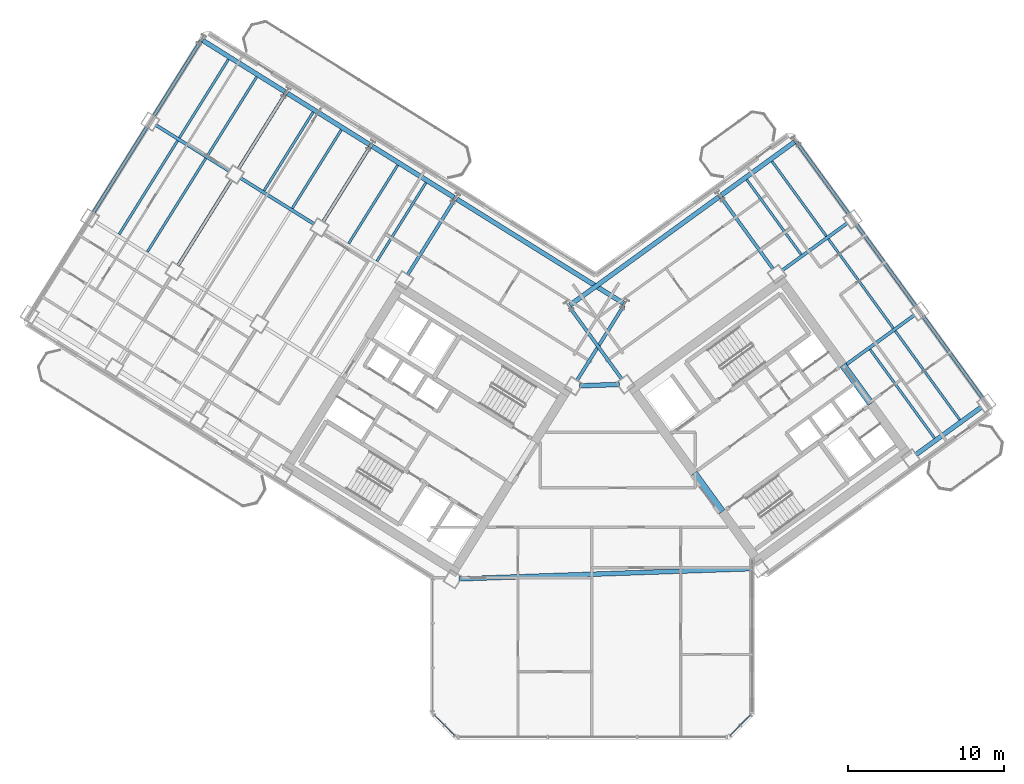
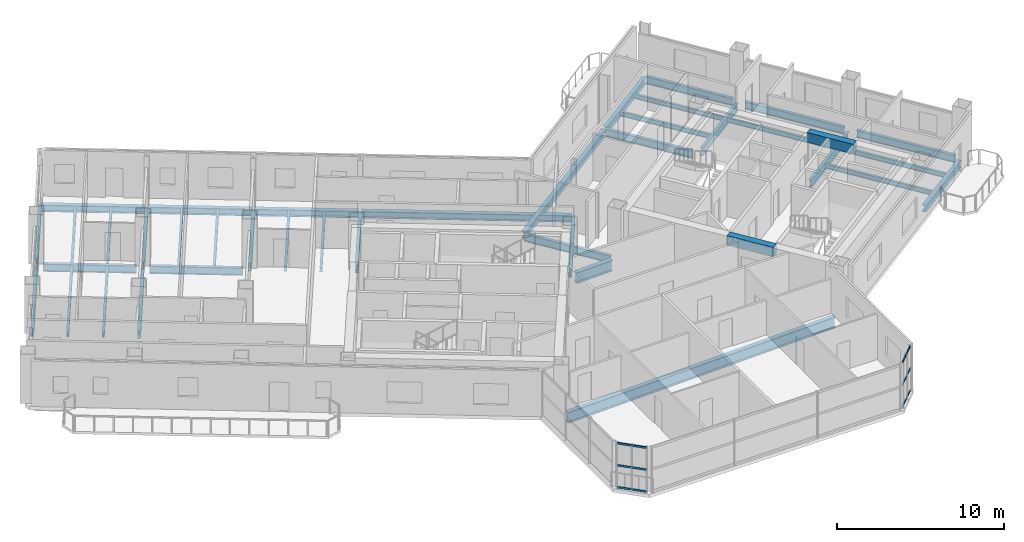
# One storey, part 7 of 21: 40 beams, 12 members, 2 elements without a shape of their own.
"""IFC4 building model written with IfcOpenShell, lengths in metres."""

from ifc_helpers import new_model, si_unit, direction, frame, origin, origin_2d, place, context, subcontext, project, spatial, rectangle, hollow_rectangle, i_section, extrude, source, transform, mapped, material, material_profile, profile_set, type_object, element, aggregate, save


model = new_model("IFC4")

# Units and contexts
model_context = context("Model", 3, precision=1e-05, world=origin(), true_north=direction((0.0, 1.0)))
body_context = subcontext(model_context, "Body", "Model", "MODEL_VIEW")
ifc_project = project(units=[si_unit("LENGTHUNIT", "METRE"), si_unit("AREAUNIT", "SQUARE_METRE"), si_unit("VOLUMEUNIT", "CUBIC_METRE"), si_unit("PLANEANGLEUNIT", "RADIAN"), si_unit("MASSUNIT", "GRAM", prefix="KILO")], contexts=[model_context])

# Site, building, storey
site_placement = place(None, origin())
site = spatial("IfcSite", under=ifc_project, at=site_placement, CompositionType="ELEMENT")
building_placement = place(site_placement, origin())
building = spatial("IfcBuilding", under=site, at=building_placement, Name="Tlacorven Tower", CompositionType="ELEMENT")
storey_placement = place(building_placement, frame((0.0, 0.0, 105.300048828125)))
storey = spatial("IfcBuildingStorey", under=building, at=storey_placement, Name="L26", CompositionType="ELEMENT", Elevation=105.300048828125)

# Beams
ifc_material_1 = material(Name="Concrete C60/75", Category="concrete")
ifc_material_profile_1 = material_profile(ifc_material_1, rectangle(XDim=0.449951171875, YDim=0.699951171875, at=origin_2d()), Name="RC 450X700")
ifc_profile_set_1 = profile_set([ifc_material_profile_1], Name="Concrete C60/75")
beam_type_1 = type_object("IfcBeamType", Name="BM-LNT-700", PredefinedType="LINTEL", material=ifc_profile_set_1)
shared_shape_1 = source(origin(), body_context, "Body", "SweptSolid", [
    extrude(rectangle(XDim=0.449951171875, YDim=0.699951171875, at=origin_2d()), origin(), (0.0, 0.0, 1.0), 3.050048828125),
])
for number, where, z_axis, x_axis, name in (
    (1, (50.318359375, 16.416015625, 3.0), (-0.587776590479, 0.80902328748, 0.0), (-0.80902328748, -0.587776590479, 0.0), "L26 E core coupling lintel beam E1"),
    (2, (59.856689453125, 23.345947265625, 3.0), (-0.587776590479, 0.80902328748, 0.0), (-0.80902328748, -0.587776590479, 0.0), "L26 E core coupling lintel beam E2"),
):
    element("IfcBeam", number, at=place(storey_placement, frame(where, z_axis=z_axis, x_axis=x_axis)), inside=storey, type_object=beam_type_1, Name=name, PredefinedType="LINTEL", context=body_context, shape_type="MappedRepresentation", body=[
        mapped(shared_shape_1, transform((0.0, 0.0, 0.0), scale=1.0)),
    ])
ifc_material_2 = material(Name="Steel S355J2", Category="steel")
ifc_material_profile_2 = material_profile(ifc_material_2, i_section(OverallWidth=0.300048828125, OverallDepth=0.489990234375, WebThickness=0.011962890625, FlangeThickness=0.02294921875, at=origin_2d()), Name="HEA 500")
ifc_profile_set_2 = profile_set([ifc_material_profile_2], Name="Steel S355J2")
beam_type_2 = type_object("IfcBeamType", Name="BM-SPN-500", PredefinedType="SPANDREL", material=ifc_profile_set_2)
shared_shape_2 = source(origin(), body_context, "Body", "SweptSolid", [
    extrude(i_section(OverallWidth=0.300048828125, OverallDepth=0.489990234375, WebThickness=0.011962890625, FlangeThickness=0.02294921875, at=origin_2d()), origin(), (0.0, 0.0, 1.0), 12.599853515625),
])
beam_1_placement = place(storey_placement, frame((43.983642578125, 29.779296875, -0.4951171875), z_axis=(-0.848045108756, 0.529924045043, 0.0), x_axis=(-0.529924045043, -0.848045108756, 0.0)))
element("IfcBeam", 3, at=beam_1_placement, inside=storey, type_object=beam_type_2, Name="L26 beam BM-L26-WL1-1", PredefinedType="SPANDREL", context=body_context, shape_type="MappedRepresentation", body=[
    mapped(shared_shape_2, transform((0.0, 0.0, 0.0), scale=1.0)),
])
shared_shape_3 = source(origin(), body_context, "Body", "SweptSolid", [
    extrude(i_section(OverallWidth=0.300048828125, OverallDepth=0.489990234375, WebThickness=0.011962890625, FlangeThickness=0.02294921875, at=origin_2d()), origin(), (0.0, 0.0, 1.0), 6.199951171875),
])
beam_2_placement = place(storey_placement, frame((33.128662109375, 36.562255859375, -0.4951171875), z_axis=(-0.848051394107, 0.529913986372, 0.0), x_axis=(-0.529913986372, -0.848051394107, 0.0)))
element("IfcBeam", 4, at=beam_2_placement, inside=storey, type_object=beam_type_2, Name="L26 beam BM-L26-WL1-3", PredefinedType="SPANDREL", context=body_context, shape_type="MappedRepresentation", body=[
    mapped(shared_shape_3, transform((0.0, 0.0, 0.0), scale=1.0)),
])
shared_shape_4 = source(origin(), body_context, "Body", "SweptSolid", [
    extrude(i_section(OverallWidth=0.300048828125, OverallDepth=0.489990234375, WebThickness=0.011962890625, FlangeThickness=0.02294921875, at=origin_2d()), origin(), (0.0, 0.0, 1.0), 11.800048828125),
])
beam_3_placement = place(storey_placement, frame((40.560302734375, 29.65966796875, -0.4951171875), z_axis=(0.80900977213, 0.587795192732, 0.0), x_axis=(-0.587795192732, 0.80900977213, 0.0)))
element("IfcBeam", 5, at=beam_3_placement, inside=storey, type_object=beam_type_2, Name="L26 beam BM-L26-EL4-1", PredefinedType="SPANDREL", context=body_context, shape_type="MappedRepresentation", body=[
    mapped(shared_shape_4, transform((0.0, 0.0, 0.0), scale=1.0)),
])
shared_shape_5 = source(origin(), body_context, "Body", "SweptSolid", [
    extrude(i_section(OverallWidth=0.300048828125, OverallDepth=0.489990234375, WebThickness=0.011962890625, FlangeThickness=0.02294921875, at=origin_2d()), origin(), (0.0, 0.0, 1.0), 5.800048828125),
])
beam_4_placement = place(storey_placement, frame((50.2685546875, 36.713134765625, -0.4951171875), z_axis=(0.809019944521, 0.587781191743, 0.0), x_axis=(-0.587781191743, 0.809019944521, 0.0)))
element("IfcBeam", 6, at=beam_4_placement, inside=storey, type_object=beam_type_2, Name="L26 beam BM-L26-EL4-3", PredefinedType="SPANDREL", context=body_context, shape_type="MappedRepresentation", body=[
    mapped(shared_shape_5, transform((0.0, 0.0, 0.0), scale=1.0)),
])
shared_shape_6 = source(origin(), body_context, "Body", "SweptSolid", [
    extrude(i_section(OverallWidth=0.300048828125, OverallDepth=0.489990234375, WebThickness=0.011962890625, FlangeThickness=0.02294921875, at=origin_2d()), origin(), (0.0, 0.0, 1.0), 6.2001953125),
])
for number, where, z_axis, x_axis, name in (
    (7, (27.701171875, 39.95361328125, -0.4951171875), (-0.84804475579, 0.5299246099, 0.0), (-0.5299246099, -0.84804475579, 0.0), "L26 beam BM-L26-WL1-4"),
    (8, (22.273681640625, 43.34521484375, -0.4951171875), (-0.848062451332, 0.529896290457, 0.0), (-0.529896290457, -0.848062451332, 0.0), "L26 beam BM-L26-WL1-5"),
):
    element("IfcBeam", number, at=place(storey_placement, frame(where, z_axis=z_axis, x_axis=x_axis)), inside=storey, type_object=beam_type_2, Name=name, PredefinedType="SPANDREL", context=body_context, shape_type="MappedRepresentation", body=[
        mapped(shared_shape_6, transform((0.0, 0.0, 0.0), scale=1.0)),
    ])
ifc_material_profile_3 = material_profile(ifc_material_2, i_section(OverallWidth=0.2099609375, OverallDepth=0.550048828125, WebThickness=0.010986328125, FlangeThickness=0.01708984375, at=origin_2d()), Name="IPE 550")
ifc_profile_set_3 = profile_set([ifc_material_profile_3], Name="Steel S355J2")
beam_type_3 = type_object("IfcBeamType", Name="BM-TWR-550", PredefinedType="BEAM", material=ifc_profile_set_3)
shared_shape_7 = source(origin(), body_context, "Body", "SweptSolid", [
    extrude(i_section(OverallWidth=0.2099609375, OverallDepth=0.550048828125, WebThickness=0.010986328125, FlangeThickness=0.01708984375, at=origin_2d()), origin(), (0.0, 0.0, 1.0), 5.599853515625),
])
for number, where, z_axis, x_axis, name in (
    (9, (24.1611328125, 34.854736328125, -0.525146484375), (-0.848047285686, 0.529920561254, 0.0), (-0.529920561254, -0.848047285686, 0.0), "L26 beam BM-L26-WL2-4"),
    (10, (18.733642578125, 38.246337890625, -0.525146484375), (-0.848047285686, 0.529920561254, 0.0), (-0.529920561254, -0.848047285686, 0.0), "L26 beam BM-L26-WL2-5"),
):
    element("IfcBeam", number, at=place(storey_placement, frame(where, z_axis=z_axis, x_axis=x_axis)), inside=storey, type_object=beam_type_3, Name=name, PredefinedType="BEAM", context=body_context, shape_type="MappedRepresentation", body=[
        mapped(shared_shape_7, transform((0.0, 0.0, 0.0), scale=1.0)),
    ])
shared_shape_8 = source(origin(), body_context, "Body", "SweptSolid", [
    extrude(i_section(OverallWidth=0.2099609375, OverallDepth=0.550048828125, WebThickness=0.010986328125, FlangeThickness=0.01708984375, at=origin_2d()), origin(), (0.0, 0.0, 1.0), 5.7001953125),
])
for number, where, z_axis, x_axis, name in (
    (11, (44.015380859375, 29.6416015625, -0.525146484375), (-0.529906537151, -0.848056048787, 0.0), (0.848056048787, -0.529906537151, 0.0), "L26 beam BM-L26-WT1-1"),
    (12, (33.160400390625, 36.424560546875, -0.525146484375), (-0.529906537151, -0.848056048787, 0.0), (0.848056048787, -0.529906537151, 0.0), "L26 beam BM-L26-WT3-1"),
    (13, (22.305419921875, 43.20751953125, -0.525146484375), (-0.529906537151, -0.848056048787, 0.0), (0.848056048787, -0.529906537151, 0.0), "L26 beam BM-L26-WT5-1"),
):
    element("IfcBeam", number, at=place(storey_placement, frame(where, z_axis=z_axis, x_axis=x_axis)), inside=storey, type_object=beam_type_3, Name=name, PredefinedType="BEAM", context=body_context, shape_type="MappedRepresentation", body=[
        mapped(shared_shape_8, transform((0.0, 0.0, 0.0), scale=1.0)),
    ])
shared_shape_9 = source(origin(), body_context, "Body", "SweptSolid", [
    extrude(i_section(OverallWidth=0.2099609375, OverallDepth=0.550048828125, WebThickness=0.010986328125, FlangeThickness=0.01708984375, at=origin_2d()), origin(), (0.0, 0.0, 1.0), 5.699951171875),
])
for number, where, z_axis, x_axis, name in (
    (14, (27.73291015625, 39.81591796875, -0.525146484375), (-0.529925785607, -0.848044021115, 0.0), (0.848044021115, -0.529925785607, 0.0), "L26 beam BM-L26-WT4-1"),
    (15, (16.8779296875, 46.598876953125, -0.525146484375), (-0.529925785607, -0.848044021115, 0.0), (0.848044021115, -0.529925785607, 0.0), "L26 beam BM-L26-WT6-1"),
    (16, (43.888671875, 24.90869140625, -0.525146484375), (-0.587787066966, 0.809015675935, 0.0), (-0.809015675935, -0.587787066966, 0.0), "L26 beam BM-L26-ET1-2"),
    (17, (53.596923828125, 31.962158203125, -0.525146484375), (-0.587787066966, 0.809015675935, 0.0), (-0.809015675935, -0.587787066966, 0.0), "L26 beam BM-L26-ET3-2"),
    (18, (58.450927734375, 35.48876953125, -0.525146484375), (-0.587787066966, 0.809015675935, 0.0), (-0.809015675935, -0.587787066966, 0.0), "L26 beam BM-L26-ET4-3"),
):
    element("IfcBeam", number, at=place(storey_placement, frame(where, z_axis=z_axis, x_axis=x_axis)), inside=storey, type_object=beam_type_3, Name=name, PredefinedType="BEAM", context=body_context, shape_type="MappedRepresentation", body=[
        mapped(shared_shape_9, transform((0.0, 0.0, 0.0), scale=1.0)),
    ])
shared_shape_10 = source(origin(), body_context, "Body", "SweptSolid", [
    extrude(i_section(OverallWidth=0.2099609375, OverallDepth=0.550048828125, WebThickness=0.010986328125, FlangeThickness=0.01708984375, at=origin_2d()), origin(), (0.0, 0.0, 1.0), 6.5),
])
for number, where, z_axis, x_axis, name in (
    (19, (13.433349609375, 41.086669921875, -0.525146484375), (-0.529894274829, -0.848063710757, 0.0), (0.848063710757, -0.529894274829, 0.0), "L26 beam BM-L26-WT6-2"),
    (20, (67.03271484375, 23.67724609375, -0.525146484375), (-0.587809847215, 0.808999124547, 0.0), (-0.808999124547, -0.587809847215, 0.0), "L26 beam BM-L26-ET4-1"),
    (21, (62.74169921875, 29.5830078125, -0.525146484375), (-0.587785264321, 0.809016985636, 0.0), (-0.809016985636, -0.587785264321, 0.0), "L26 beam BM-L26-ET4-2"),
):
    element("IfcBeam", number, at=place(storey_placement, frame(where, z_axis=z_axis, x_axis=x_axis)), inside=storey, type_object=beam_type_3, Name=name, PredefinedType="BEAM", context=body_context, shape_type="MappedRepresentation", body=[
        mapped(shared_shape_10, transform((0.0, 0.0, 0.0), scale=1.0)),
    ])
shared_shape_11 = source(origin(), body_context, "Body", "SweptSolid", [
    extrude(i_section(OverallWidth=0.2099609375, OverallDepth=0.550048828125, WebThickness=0.010986328125, FlangeThickness=0.01708984375, at=origin_2d()), origin(), (0.0, 0.0, 1.0), 6.499755859375),
])
beam_5_placement = place(storey_placement, frame((18.86083984375, 37.695068359375, -0.525146484375), z_axis=(-0.529911154058, -0.848053163902, 0.0), x_axis=(0.848053163902, -0.529911154058, 0.0)))
element("IfcBeam", 22, at=beam_5_placement, inside=storey, type_object=beam_type_3, Name="L26 beam BM-L26-WT5-2", PredefinedType="BEAM", context=body_context, shape_type="MappedRepresentation", body=[
    mapped(shared_shape_11, transform((0.0, 0.0, 0.0), scale=1.0)),
])
shared_shape_12 = source(origin(), body_context, "Body", "SweptSolid", [
    extrude(i_section(OverallWidth=0.300048828125, OverallDepth=0.489990234375, WebThickness=0.011962890625, FlangeThickness=0.02294921875, at=origin_2d()), origin(), (0.0, 0.0, 1.0), 5.199951171875),
])
beam_6_placement = place(storey_placement, frame((62.7373046875, 20.06201171875, -0.4951171875), z_axis=(0.809018206713, 0.587783583648, 0.0), x_axis=(-0.587783583648, 0.809018206713, 0.0)))
element("IfcBeam", 23, at=beam_6_placement, inside=storey, type_object=beam_type_2, Name="L26 beam BM-L26-EL1-3", PredefinedType="SPANDREL", context=body_context, shape_type="MappedRepresentation", body=[
    mapped(shared_shape_12, transform((0.0, 0.0, 0.0), scale=1.0)),
])
shared_shape_13 = source(origin(), body_context, "Body", "SweptSolid", [
    extrude(i_section(OverallWidth=0.2099609375, OverallDepth=0.550048828125, WebThickness=0.010986328125, FlangeThickness=0.01708984375, at=origin_2d()), origin(), (0.0, 0.0, 1.0), 5.56005859375),
])
beam_7_placement = place(storey_placement, frame((58.155029296875, 25.756103515625, -0.525146484375), z_axis=(0.809028396397, 0.587769558435, 0.0), x_axis=(-0.587769558435, 0.809028396397, 0.0)))
element("IfcBeam", 24, at=beam_7_placement, inside=storey, type_object=beam_type_3, Name="L26 beam BM-L26-EL2-3", PredefinedType="BEAM", context=body_context, shape_type="MappedRepresentation", body=[
    mapped(shared_shape_13, transform((0.0, 0.0, 0.0), scale=1.0)),
])
shared_shape_14 = source(origin(), body_context, "Body", "SweptSolid", [
    extrude(i_section(OverallWidth=0.2099609375, OverallDepth=0.550048828125, WebThickness=0.010986328125, FlangeThickness=0.01708984375, at=origin_2d()), origin(), (0.0, 0.0, 1.0), 5.2001953125),
])
beam_8_placement = place(storey_placement, frame((54.155517578125, 31.87353515625, -0.525146484375), z_axis=(0.80901210161, 0.587791986546, 0.0), x_axis=(-0.587791986546, 0.80901210161, 0.0)))
element("IfcBeam", 25, at=beam_8_placement, inside=storey, type_object=beam_type_3, Name="L26 beam BM-L26-EL3-3", PredefinedType="BEAM", context=body_context, shape_type="MappedRepresentation", body=[
    mapped(shared_shape_14, transform((0.0, 0.0, 0.0), scale=1.0)),
])
ifc_material_profile_4 = material_profile(ifc_material_2, i_section(OverallWidth=0.300048828125, OverallDepth=0.800048828125, WebThickness=0.017578125, FlangeThickness=0.032958984375, at=origin_2d()), Name="HEB 800")
ifc_profile_set_4 = profile_set([ifc_material_profile_4], Name="Steel S355J2")
beam_type_4 = type_object("IfcBeamType", Name="BM-POD-800", PredefinedType="BEAM", material=ifc_profile_set_4)
shared_shape_15 = source(origin(), body_context, "Body", "SweptSolid", [
    extrude(i_section(OverallWidth=0.300048828125, OverallDepth=0.800048828125, WebThickness=0.017578125, FlangeThickness=0.032958984375, at=origin_2d()), origin(), (0.0, 0.0, 1.0), 2.542724609375),
])
beam_9_placement = place(storey_placement, frame((41.1826171875, 24.482421875, -0.650146484375), z_axis=(0.999392467766, 0.034852480142, 0.0), x_axis=(-0.034852480142, 0.999392467766, 0.0)))
element("IfcBeam", 26, at=beam_9_placement, inside=storey, type_object=beam_type_4, Name="L26 Knuckle Link Girder 1", PredefinedType="BEAM", context=body_context, shape_type="MappedRepresentation", body=[
    mapped(shared_shape_15, transform((0.0, 0.0, 0.0), scale=1.0)),
])
shared_shape_16 = source(origin(), body_context, "Body", "SweptSolid", [
    extrude(i_section(OverallWidth=0.300048828125, OverallDepth=0.800048828125, WebThickness=0.017578125, FlangeThickness=0.032958984375, at=origin_2d()), origin(), (0.0, 0.0, 1.0), 18.871337890625),
])
beam_10_placement = place(storey_placement, frame((33.44580078125, 12.100830078125, -0.650146484375), z_axis=(0.999390659804, 0.034904284792, 0.0), x_axis=(-0.034904284792, 0.999390659804, 0.0)))
element("IfcBeam", 27, at=beam_10_placement, inside=storey, type_object=beam_type_4, Name="L26 Knuckle Link Girder 2", PredefinedType="BEAM", context=body_context, shape_type="MappedRepresentation", body=[
    mapped(shared_shape_16, transform((0.0, 0.0, 0.0), scale=1.0)),
])
ifc_material_profile_5 = material_profile(ifc_material_2, i_section(OverallWidth=0.159912109375, OverallDepth=0.330078125, WebThickness=0.007568359375, FlangeThickness=0.011474609375, at=origin_2d()), Name="IPE 330")
ifc_profile_set_5 = profile_set([ifc_material_profile_5], Name="Steel S355J2")
beam_type_5 = type_object("IfcBeamType", Name="BM-JST-330", PredefinedType="JOIST", material=ifc_profile_set_5)
shared_shape_17 = source(origin(), body_context, "Body", "SweptSolid", [
    extrude(i_section(OverallWidth=0.159912109375, OverallDepth=0.330078125, WebThickness=0.007568359375, FlangeThickness=0.011474609375, at=origin_2d()), origin(), (0.0, 0.0, 1.0), 5.93505859375),
])
for number, where, z_axis, x_axis, name in (
    (28, (31.322265625, 37.50830078125, -0.4150390625), (-0.529939778535, -0.848035277053, 0.0), (0.848035277053, -0.529939778535, 0.0), "L26 beam BM-L26-WJ3-1-1"),
    (29, (29.512939453125, 38.638916015625, -0.4150390625), (-0.529910194899, -0.848053763238, 0.0), (0.848053763238, -0.529910194899, 0.0), "L26 beam BM-L26-WJ3-1-2"),
    (30, (24.08544921875, 42.0302734375, -0.4150390625), (-0.529910194899, -0.848053763238, 0.0), (0.848053763238, -0.529910194899, 0.0), "L26 beam BM-L26-WJ4-1-2"),
    (31, (20.467041015625, 44.291259765625, -0.4150390625), (-0.529910194899, -0.848053763238, 0.0), (0.848053763238, -0.529910194899, 0.0), "L26 beam BM-L26-WJ5-1-1"),
    (32, (18.657958984375, 45.421875, -0.4150390625), (-0.529910194899, -0.848053763238, 0.0), (0.848053763238, -0.529910194899, 0.0), "L26 beam BM-L26-WJ5-1-2"),
    (33, (55.38525390625, 32.903076171875, -0.4150390625), (-0.58778762431, 0.809015270998, 0.0), (-0.809015270998, -0.58778762431, 0.0), "L26 beam BM-L26-EJ3-3-1"),
    (34, (57.00341796875, 34.07861328125, -0.4150390625), (-0.58778762431, 0.809015270998, 0.0), (-0.809015270998, -0.58778762431, 0.0), "L26 beam BM-L26-EJ3-3-2"),
):
    element("IfcBeam", number, at=place(storey_placement, frame(where, z_axis=z_axis, x_axis=x_axis)), inside=storey, type_object=beam_type_5, Name=name, PredefinedType="JOIST", context=body_context, shape_type="MappedRepresentation", body=[
        mapped(shared_shape_17, transform((0.0, 0.0, 0.0), scale=1.0)),
    ])
shared_shape_18 = source(origin(), body_context, "Body", "SweptSolid", [
    extrude(i_section(OverallWidth=0.159912109375, OverallDepth=0.330078125, WebThickness=0.007568359375, FlangeThickness=0.011474609375, at=origin_2d()), origin(), (0.0, 0.0, 1.0), 7.080078125),
])
for number, where, z_axis, x_axis, name in (
    (35, (17.20556640625, 39.071533203125, -0.4150390625), (-0.529933847046, -0.848038983629, 0.0), (0.848038983629, -0.529933847046, 0.0), "L26 beam BM-L26-WJ5-2-1"),
    (36, (15.396240234375, 40.2021484375, -0.4150390625), (-0.529893550998, -0.848064163027, 0.0), (0.848064163027, -0.529893550998, 0.0), "L26 beam BM-L26-WJ5-2-2"),
    (37, (61.294189453125, 28.1728515625, -0.4150390625), (-0.587798472288, 0.809007389321, 0.0), (-0.809007389321, -0.587798472288, 0.0), "L26 beam BM-L26-EJ3-2-2"),
):
    element("IfcBeam", number, at=place(storey_placement, frame(where, z_axis=z_axis, x_axis=x_axis)), inside=storey, type_object=beam_type_5, Name=name, PredefinedType="JOIST", context=body_context, shape_type="MappedRepresentation", body=[
        mapped(shared_shape_18, transform((0.0, 0.0, 0.0), scale=1.0)),
    ])
shared_shape_19 = source(origin(), body_context, "Body", "SweptSolid", [
    extrude(i_section(OverallWidth=0.159912109375, OverallDepth=0.330078125, WebThickness=0.007568359375, FlangeThickness=0.011474609375, at=origin_2d()), origin(), (0.0, 0.0, 1.0), 7.03515625),
])
beam_11_placement = place(storey_placement, frame((63.9404296875, 21.127685546875, -0.4150390625), z_axis=(-0.58776512903, 0.809031614399, 0.0), x_axis=(-0.809031614399, -0.58776512903, 0.0)))
element("IfcBeam", 38, at=beam_11_placement, inside=storey, type_object=beam_type_5, Name="L26 beam BM-L26-EJ3-1-1", PredefinedType="JOIST", context=body_context, shape_type="MappedRepresentation", body=[
    mapped(shared_shape_19, transform((0.0, 0.0, 0.0), scale=1.0)),
])
shared_shape_20 = source(origin(), body_context, "Body", "SweptSolid", [
    extrude(i_section(OverallWidth=0.159912109375, OverallDepth=0.330078125, WebThickness=0.007568359375, FlangeThickness=0.011474609375, at=origin_2d()), origin(), (0.0, 0.0, 1.0), 5.934814453125),
])
beam_12_placement = place(storey_placement, frame((25.894775390625, 40.899658203125, -0.4150390625), z_axis=(-0.529958265352, -0.848023724306, 0.0), x_axis=(0.848023724306, -0.529958265352, 0.0)))
element("IfcBeam", 39, at=beam_12_placement, inside=storey, type_object=beam_type_5, Name="L26 beam BM-L26-WJ4-1-1", PredefinedType="JOIST", context=body_context, shape_type="MappedRepresentation", body=[
    mapped(shared_shape_20, transform((0.0, 0.0, 0.0), scale=1.0)),
])
shared_shape_21 = source(origin(), body_context, "Body", "SweptSolid", [
    extrude(i_section(OverallWidth=0.159912109375, OverallDepth=0.330078125, WebThickness=0.007568359375, FlangeThickness=0.011474609375, at=origin_2d()), origin(), (0.0, 0.0, 1.0), 7.034912109375),
])
beam_13_placement = place(storey_placement, frame((65.55859375, 22.303466796875, -0.4150390625), z_axis=(-0.587781631373, 0.809019625115, 0.0), x_axis=(-0.809019625115, -0.587781631373, 0.0)))
element("IfcBeam", 40, at=beam_13_placement, inside=storey, type_object=beam_type_5, Name="L26 beam BM-L26-EJ3-1-2", PredefinedType="JOIST", context=body_context, shape_type="MappedRepresentation", body=[
    mapped(shared_shape_21, transform((0.0, 0.0, 0.0), scale=1.0)),
])

# Curtain wall, members
ifc_material_3 = material(Name="Dark solar low-E double glazing in aluminium frame", Category="aluminium")
curtain_wall_type = type_object("IfcCurtainWallType", Name="CW-TWR-MID", PredefinedType="USERDEFINED", material=ifc_material_3)
curtain_wall_1_placement = place(storey_placement, origin())
curtain_wall_1 = element("IfcCurtainWall", 41, at=curtain_wall_1_placement, inside=storey, type_object=curtain_wall_type, Name="L26 CW-TWR-MID Curtain Wall 131", ObjectType="UNITISED CURTAIN WALL", PredefinedType="USERDEFINED")
ifc_material_4 = material(Name="Aluminium 6063-T6 anodised", Category="aluminium")
ifc_material_profile_6 = material_profile(ifc_material_4, hollow_rectangle(XDim=0.06005859375, YDim=0.139892578125, WallThickness=0.00390625, at=origin_2d()), Name="ALU TRANSOM 60X140")
ifc_profile_set_6 = profile_set([ifc_material_profile_6], Name="Aluminium 6063-T6 anodised")
member_type = type_object("IfcMemberType", Name="CWT-02", PredefinedType="USERDEFINED", material=ifc_profile_set_6)
shared_shape_22 = source(origin(), body_context, "Body", "SweptSolid", [
    extrude(hollow_rectangle(XDim=0.06005859375, YDim=0.139892578125, WallThickness=0.00390625, at=origin_2d()), origin(), (0.0, 0.0, 1.0), 0.8916015625),
])
member_1_placement = place(storey_placement, frame((52.1318359375, 3.358154296875, 0.070068359375), z_axis=(-0.706969864397, -0.70724367147, 0.0), x_axis=(0.70724367147, -0.706969864397, 0.0)))
member_1 = element("IfcMember", 42, at=member_1_placement, type_object=member_type, Name="CW-L26-131 Transom 1", ObjectType="TRANSOM", PredefinedType="USERDEFINED", context=body_context, shape_type="MappedRepresentation", body=[
    mapped(shared_shape_22, transform((0.0, 0.0, 0.0), scale=1.0)),
])
member_2_placement = place(storey_placement, frame((52.1318359375, 3.358154296875, 1.675048828125), z_axis=(-0.706969864397, -0.70724367147, 0.0), x_axis=(0.70724367147, -0.706969864397, 0.0)))
member_2 = element("IfcMember", 43, at=member_2_placement, type_object=member_type, Name="CW-L26-131 Transom 2", ObjectType="TRANSOM", PredefinedType="USERDEFINED", context=body_context, shape_type="MappedRepresentation", body=[
    mapped(shared_shape_22, transform((0.0, 0.0, 0.0), scale=1.0)),
])
member_3_placement = place(storey_placement, frame((52.1318359375, 3.358154296875, 3.280029296875), z_axis=(-0.706969864397, -0.70724367147, 0.0), x_axis=(0.70724367147, -0.706969864397, 0.0)))
member_3 = element("IfcMember", 44, at=member_3_placement, type_object=member_type, Name="CW-L26-131 Transom 3", ObjectType="TRANSOM", PredefinedType="USERDEFINED", context=body_context, shape_type="MappedRepresentation", body=[
    mapped(shared_shape_22, transform((0.0, 0.0, 0.0), scale=1.0)),
])

curtain_wall_2_placement = place(storey_placement, origin())
curtain_wall_2 = element("IfcCurtainWall", 45, at=curtain_wall_2_placement, inside=storey, type_object=curtain_wall_type, Name="L26 CW-TWR-MID Curtain Wall 133", ObjectType="UNITISED CURTAIN WALL", PredefinedType="USERDEFINED")
member_4_placement = place(storey_placement, frame((32.49853515625, 2.7275390625, 0.070068359375), z_axis=(-0.706969864397, 0.70724367147, 0.0), x_axis=(-0.70724367147, -0.706969864397, 0.0)))
member_4 = element("IfcMember", 46, at=member_4_placement, type_object=member_type, Name="CW-L26-133 Transom 4", ObjectType="TRANSOM", PredefinedType="USERDEFINED", context=body_context, shape_type="MappedRepresentation", body=[
    mapped(shared_shape_22, transform((0.0, 0.0, 0.0), scale=1.0)),
])
member_5_placement = place(storey_placement, frame((32.49853515625, 2.7275390625, 1.675048828125), z_axis=(-0.706969864397, 0.70724367147, 0.0), x_axis=(-0.70724367147, -0.706969864397, 0.0)))
member_5 = element("IfcMember", 47, at=member_5_placement, type_object=member_type, Name="CW-L26-133 Transom 5", ObjectType="TRANSOM", PredefinedType="USERDEFINED", context=body_context, shape_type="MappedRepresentation", body=[
    mapped(shared_shape_22, transform((0.0, 0.0, 0.0), scale=1.0)),
])
member_6_placement = place(storey_placement, frame((32.49853515625, 2.7275390625, 3.280029296875), z_axis=(-0.706969864397, 0.70724367147, 0.0), x_axis=(-0.70724367147, -0.706969864397, 0.0)))
member_6 = element("IfcMember", 48, at=member_6_placement, type_object=member_type, Name="CW-L26-133 Transom 6", ObjectType="TRANSOM", PredefinedType="USERDEFINED", context=body_context, shape_type="MappedRepresentation", body=[
    mapped(shared_shape_22, transform((0.0, 0.0, 0.0), scale=1.0)),
])

# Member
shared_shape_23 = source(origin(), body_context, "Body", "SweptSolid", [
    extrude(hollow_rectangle(XDim=0.06005859375, YDim=0.139892578125, WallThickness=0.00390625, at=origin_2d()), origin(), (0.0, 0.0, 1.0), 0.891845703125),
])
member_7_placement = place(storey_placement, frame((51.472412109375, 2.69873046875, 0.070068359375), z_axis=(-0.707106781187, -0.707106781187, 0.0), x_axis=(0.707106781187, -0.707106781187, 0.0)))
member_7 = element("IfcMember", 49, at=member_7_placement, type_object=member_type, Name="CW-L26-131 Transom 4", ObjectType="TRANSOM", PredefinedType="USERDEFINED", context=body_context, shape_type="MappedRepresentation", body=[
    mapped(shared_shape_23, transform((0.0, 0.0, 0.0), scale=1.0)),
])

member_8_placement = place(storey_placement, frame((51.472412109375, 2.69873046875, 1.675048828125), z_axis=(-0.707106781187, -0.707106781187, 0.0), x_axis=(0.707106781187, -0.707106781187, 0.0)))
member_8 = element("IfcMember", 50, at=member_8_placement, type_object=member_type, Name="CW-L26-131 Transom 5", ObjectType="TRANSOM", PredefinedType="USERDEFINED", context=body_context, shape_type="MappedRepresentation", body=[
    mapped(shared_shape_23, transform((0.0, 0.0, 0.0), scale=1.0)),
])

member_9_placement = place(storey_placement, frame((51.472412109375, 2.69873046875, 3.280029296875), z_axis=(-0.707106781187, -0.707106781187, 0.0), x_axis=(0.707106781187, -0.707106781187, 0.0)))
member_9 = element("IfcMember", 51, at=member_9_placement, type_object=member_type, Name="CW-L26-131 Transom 6", ObjectType="TRANSOM", PredefinedType="USERDEFINED", context=body_context, shape_type="MappedRepresentation", body=[
    mapped(shared_shape_23, transform((0.0, 0.0, 0.0), scale=1.0)),
])

aggregate(curtain_wall_1, [member_1, member_2, member_3, member_7, member_8, member_9])

member_10_placement = place(storey_placement, frame((33.158203125, 2.068115234375, 0.070068359375), z_axis=(-0.707106781187, 0.707106781187, 0.0), x_axis=(-0.707106781187, -0.707106781187, 0.0)))
member_10 = element("IfcMember", 52, at=member_10_placement, type_object=member_type, Name="CW-L26-133 Transom 1", ObjectType="TRANSOM", PredefinedType="USERDEFINED", context=body_context, shape_type="MappedRepresentation", body=[
    mapped(shared_shape_23, transform((0.0, 0.0, 0.0), scale=1.0)),
])

member_11_placement = place(storey_placement, frame((33.158203125, 2.068115234375, 1.675048828125), z_axis=(-0.707106781187, 0.707106781187, 0.0), x_axis=(-0.707106781187, -0.707106781187, 0.0)))
member_11 = element("IfcMember", 53, at=member_11_placement, type_object=member_type, Name="CW-L26-133 Transom 2", ObjectType="TRANSOM", PredefinedType="USERDEFINED", context=body_context, shape_type="MappedRepresentation", body=[
    mapped(shared_shape_23, transform((0.0, 0.0, 0.0), scale=1.0)),
])

member_12_placement = place(storey_placement, frame((33.158203125, 2.068115234375, 3.280029296875), z_axis=(-0.707106781187, 0.707106781187, 0.0), x_axis=(-0.707106781187, -0.707106781187, 0.0)))
member_12 = element("IfcMember", 54, at=member_12_placement, type_object=member_type, Name="CW-L26-133 Transom 3", ObjectType="TRANSOM", PredefinedType="USERDEFINED", context=body_context, shape_type="MappedRepresentation", body=[
    mapped(shared_shape_23, transform((0.0, 0.0, 0.0), scale=1.0)),
])

aggregate(curtain_wall_2, [member_10, member_11, member_12, member_4, member_5, member_6])

save(model, "model.ifc")
